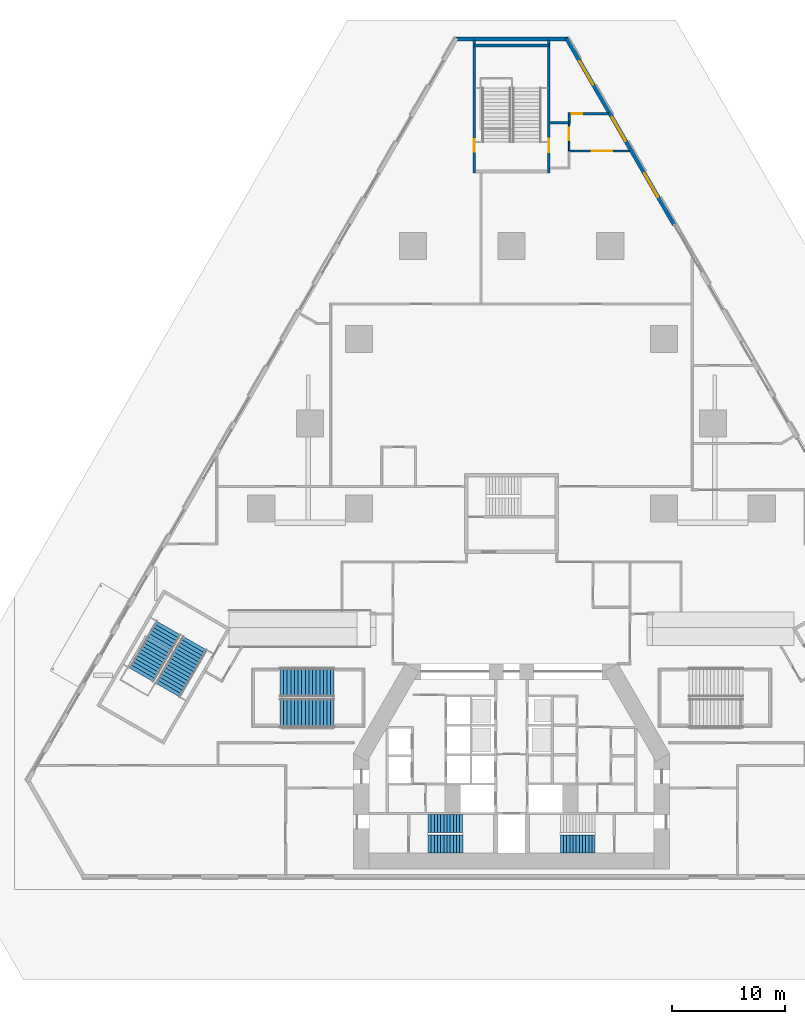
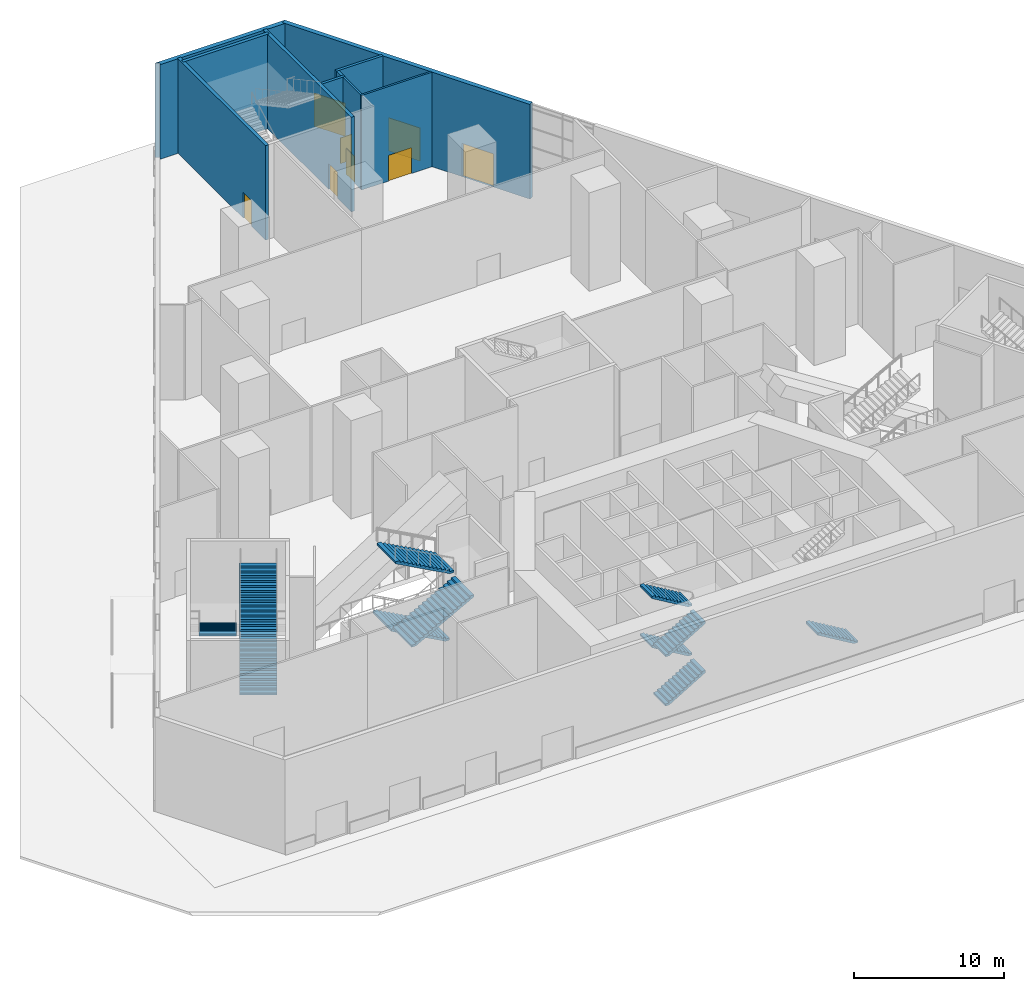
# One storey, part 18 of 24: 11 stair flights, 10 walls, 8 doors, 8 openings, 4 elements without a shape of their own.
"""IFC4 building model written with IfcOpenShell, lengths in metres."""

from ifc_helpers import new_model, si_unit, direction, frame, frame_2d, origin, place, context, subcontext, project, spatial, polyline, rectangle, outline, extrude, material, layer, layer_set, type_object, element, fill, aggregate, save


model = new_model("IFC4")

# Units and contexts
model_context = context("Model", 3, precision=1e-05, world=origin(), true_north=direction((0.0, 1.0)))
body_context = subcontext(model_context, "Body", "Model", "MODEL_VIEW")
ifc_project = project(units=[si_unit("LENGTHUNIT", "METRE"), si_unit("AREAUNIT", "SQUARE_METRE"), si_unit("VOLUMEUNIT", "CUBIC_METRE"), si_unit("PLANEANGLEUNIT", "RADIAN"), si_unit("MASSUNIT", "GRAM", prefix="KILO")], contexts=[model_context])

# Site, building, storey
site_placement = place(None, origin())
site = spatial("IfcSite", under=ifc_project, at=site_placement, CompositionType="ELEMENT")
building_placement = place(site_placement, origin())
building = spatial("IfcBuilding", under=site, at=building_placement, Name="Fogline Exchange Tower", CompositionType="ELEMENT")
storey_placement = place(building_placement, origin())
storey = spatial("IfcBuildingStorey", under=building, at=storey_placement, Name="L00", CompositionType="ELEMENT", Elevation=0.0)

# Wall, openings, doors
ifc_material_1 = material(Name="Brick masonry", Category="masonry")
ifc_layer_1 = layer(ifc_material_1, 0.340087890625)
ifc_layer_set_1 = layer_set([ifc_layer_1], Name="FW1")
wall_type_1 = type_object("IfcWallType", Name="FW1", PredefinedType="SOLIDWALL", material=ifc_layer_set_1)
wall_1_placement = place(storey_placement, frame((14.381591796875, 57.888916015625, 0.0), z_axis=(0.0, 0.0, 1.0), x_axis=(-0.499999683919, 0.866025586274, 0.0)))
wall_1 = element("IfcWall", 1, at=wall_1_placement, inside=storey, type_object=wall_type_1, Name="Brick wall L00 E bay 5", PredefinedType="SOLIDWALL", context=body_context, shape_type="SweptSolid", body=[
    extrude(rectangle(XDim=19.0576171875, YDim=0.340087890625, at=frame_2d((9.52880859375, 0.0))), origin(), (0.0, 0.0, 1.0), 7.699951171875),
])
opening_1_placement = place(wall_1_placement, frame((2.8154296875, 0.0, 0.0)))
opening_1 = element("IfcOpeningElement", 2, at=opening_1_placement, cuts=wall_1, Name="Opening P00-E036", PredefinedType="OPENING", context=body_context, shape_type="SweptSolid", body=[
    extrude(rectangle(XDim=2.39990234375, YDim=2.699951171875, at=frame_2d((1.199951171875, 1.35009765625))), frame((0.0, 0.18017578125, 0.0), z_axis=(0.0, -1.0, 0.0), x_axis=(1.0, 0.0, 0.0)), (0.0, 0.0, 1.0), 0.360107421875),
])
opening_2_placement = place(wall_1_placement, frame((8.555419921875, 0.0, 0.0)))
opening_2 = element("IfcOpeningElement", 3, at=opening_2_placement, cuts=wall_1, Name="Opening P00-E037", PredefinedType="OPENING", context=body_context, shape_type="SweptSolid", body=[
    extrude(rectangle(XDim=2.39990234375, YDim=2.699951171875, at=frame_2d((1.199951171875, 1.35009765625))), frame((0.0, 0.18017578125, 0.0), z_axis=(0.0, -1.0, 0.0), x_axis=(1.0, 0.0, 0.0)), (0.0, 0.0, 1.0), 0.360107421875),
])
opening_3_placement = place(wall_1_placement, frame((14.29443359375, 0.0, 0.0)))
opening_3 = element("IfcOpeningElement", 4, at=opening_3_placement, cuts=wall_1, Name="Opening P00-E038", PredefinedType="OPENING", context=body_context, shape_type="SweptSolid", body=[
    extrude(rectangle(XDim=2.39990234375, YDim=2.699951171875, at=frame_2d((1.199951171875, 1.35009765625))), frame((0.0, 0.18017578125, 0.0), z_axis=(0.0, -1.0, 0.0), x_axis=(1.0, 0.0, 0.0)), (0.0, 0.0, 1.0), 0.360107421875),
])
ifc_material_2 = material(Name="Aluminium and glass", Category="aluminium")
door_type_1 = type_object("IfcDoorType", Name="ED6", OperationType="SINGLE_SWING_LEFT", PredefinedType="DOOR", material=ifc_material_2)
door_1_placement = place(opening_1_placement, frame((2.39990234375, 0.0, 0.0), z_axis=(0.0, 0.0, 1.0), x_axis=(-1.0, 0.0, 0.0)))
door_1 = element("IfcDoor", 5, at=door_1_placement, inside=storey, type_object=door_type_1, Name="Exit door L00 E", OperationType="DOUBLE_DOOR_SINGLE_SWING", OverallHeight=2.699951171875, OverallWidth=2.39990234375, PredefinedType="DOOR", context=body_context, shape_type="SweptSolid", body=[
    extrude(rectangle(XDim=2.39990234375, YDim=2.699951171875, at=frame_2d((1.199951171875, 1.35009765625))), frame((0.0, 0.02490234375, 0.0), z_axis=(0.0, -1.0, 0.0), x_axis=(1.0, 0.0, 0.0)), (0.0, 0.0, 1.0), 0.050048828125),
])
fill(opening_1, door_1)
door_2_placement = place(opening_2_placement, frame((2.39990234375, 0.0, 0.0), z_axis=(0.0, 0.0, 1.0), x_axis=(-1.0, 0.0, 0.0)))
door_2 = element("IfcDoor", 6, at=door_2_placement, inside=storey, type_object=door_type_1, Name="Exit door L00 E", OperationType="DOUBLE_DOOR_SINGLE_SWING", OverallHeight=2.699951171875, OverallWidth=2.39990234375, PredefinedType="DOOR", context=body_context, shape_type="SweptSolid", body=[
    extrude(rectangle(XDim=2.39990234375, YDim=2.699951171875, at=frame_2d((1.199951171875, 1.35009765625))), frame((0.0, 0.02490234375, 0.0), z_axis=(0.0, -1.0, 0.0), x_axis=(1.0, 0.0, 0.0)), (0.0, 0.0, 1.0), 0.050048828125),
])
fill(opening_2, door_2)
door_3_placement = place(opening_3_placement, frame((2.39990234375, 0.0, 0.0), z_axis=(0.0, 0.0, 1.0), x_axis=(-1.0, 0.0, 0.0)))
door_3 = element("IfcDoor", 7, at=door_3_placement, inside=storey, type_object=door_type_1, Name="Exit door L00 E", OperationType="DOUBLE_DOOR_SINGLE_SWING", OverallHeight=2.699951171875, OverallWidth=2.39990234375, PredefinedType="DOOR", context=body_context, shape_type="SweptSolid", body=[
    extrude(rectangle(XDim=2.39990234375, YDim=2.699951171875, at=frame_2d((1.199951171875, 1.35009765625))), frame((0.0, 0.02490234375, 0.0), z_axis=(0.0, -1.0, 0.0), x_axis=(1.0, 0.0, 0.0)), (0.0, 0.0, 1.0), 0.050048828125),
])
fill(opening_3, door_3)

# Wall
wall_2_placement = place(storey_placement, origin())
element("IfcWall", 8, at=wall_2_placement, inside=storey, type_object=wall_type_1, Name="Brick wall L00 N-c", PredefinedType="SOLIDWALL", context=body_context, shape_type="SweptSolid", body=[
    extrude(outline(polyline([(5.001220703125, 74.478271484375), (4.706298828125, 74.307861328125), (4.8046875, 74.1376953125), (-4.8046875, 74.1376953125), (-4.706298828125, 74.307861328125), (-5.001220703125, 74.478271484375), (-5.0009765625, 74.478759765625), (5.0009765625, 74.478759765625), (5.001220703125, 74.478271484375)])), origin(), (0.0, 0.0, 1.0), 7.699951171875),
])

# Wall, opening, door
ifc_material_3 = material(Name="Plasterboard on steel stud", Category="steel")
ifc_layer_2 = layer(ifc_material_3, 0.14990234375)
ifc_layer_set_2 = layer_set([ifc_layer_2], Name="PP1")
wall_type_2 = type_object("IfcWallType", Name="PP1", PredefinedType="PARTITIONING", material=ifc_layer_set_2)
wall_3_placement = place(storey_placement, frame((10.46630859375, 64.39990234375, 0.0), z_axis=(0.0, 0.0, 1.0), x_axis=(-1.0, 0.0, 0.0)))
wall_3 = element("IfcWall", 9, at=wall_3_placement, inside=storey, type_object=wall_type_2, Name="PP1 partition", PredefinedType="PARTITIONING", context=body_context, shape_type="SweptSolid", body=[
    extrude(rectangle(XDim=5.44140625, YDim=0.14990234375, at=frame_2d((2.720703125, 0.0))), origin(), (0.0, 0.0, 1.0), 7.699951171875),
])
opening_4_placement = place(wall_3_placement, frame((1.56640625, 0.0, 0.0)))
opening_4 = element("IfcOpeningElement", 10, at=opening_4_placement, cuts=wall_3, Name="Opening P00-D009", PredefinedType="OPENING", context=body_context, shape_type="SweptSolid", body=[
    extrude(rectangle(XDim=1.800048828125, YDim=2.10009765625, at=frame_2d((0.89990234375, 1.050048828125))), frame((0.0, 0.0849609375, 0.0), z_axis=(0.0, -1.0, 0.0), x_axis=(1.0, 0.0, 0.0)), (0.0, 0.0, 1.0), 0.169921875),
])
ifc_material_4 = material(Name="Timber", Category="wood")
door_type_2 = type_object("IfcDoorType", Name="PD3", OperationType="DOUBLE_DOOR_SINGLE_SWING", PredefinedType="DOOR", material=ifc_material_4)
door_4_placement = place(opening_4_placement, origin())
door_4 = element("IfcDoor", 11, at=door_4_placement, inside=storey, type_object=door_type_2, Name="P00-D009", OperationType="DOUBLE_DOOR_SINGLE_SWING", OverallHeight=2.10009765625, OverallWidth=1.800048828125, PredefinedType="DOOR", context=body_context, shape_type="SweptSolid", body=[
    extrude(rectangle(XDim=1.800048828125, YDim=2.10009765625, at=frame_2d((0.89990234375, 1.050048828125))), frame((0.0, 0.02490234375, 0.0), z_axis=(0.0, -1.0, 0.0), x_axis=(1.0, 0.0, 0.0)), (0.0, 0.0, 1.0), 0.050048828125),
])
fill(opening_4, door_4)

wall_4_placement = place(storey_placement, frame((5.10009765625, 66.800048828125, 0.0), z_axis=(0.0, 0.0, 1.0), x_axis=(0.0, -1.0, 0.0)))
wall_4 = element("IfcWall", 12, at=wall_4_placement, inside=storey, type_object=wall_type_2, Name="PP1 partition", PredefinedType="PARTITIONING", context=body_context, shape_type="SweptSolid", body=[
    extrude(rectangle(XDim=2.324951171875, YDim=0.14990234375, at=frame_2d((1.16259765625, 0.0))), origin(), (0.0, 0.0, 1.0), 7.699951171875),
])
opening_5_placement = place(wall_4_placement, frame((0.35009765625, 0.0, 0.0)))
opening_5 = element("IfcOpeningElement", 13, at=opening_5_placement, cuts=wall_4, Name="Opening P00-D006", PredefinedType="OPENING", context=body_context, shape_type="SweptSolid", body=[
    extrude(rectangle(XDim=1.10009765625, YDim=2.10009765625, at=frame_2d((0.550048828125, 1.050048828125))), frame((0.0, 0.0849609375, 0.0), z_axis=(0.0, -1.0, 0.0), x_axis=(1.0, 0.0, 0.0)), (0.0, 0.0, 1.0), 0.169921875),
])
ifc_material_5 = material(Name="Steel Q235B", Category="steel")
door_type_3 = type_object("IfcDoorType", Name="PD5", OperationType="SINGLE_SWING_LEFT", PredefinedType="DOOR", material=ifc_material_5)
door_5_placement = place(opening_5_placement, origin())
door_5 = element("IfcDoor", 14, at=door_5_placement, inside=storey, type_object=door_type_3, Name="P00-D006", OperationType="SINGLE_SWING_LEFT", OverallHeight=2.10009765625, OverallWidth=1.10009765625, PredefinedType="DOOR", context=body_context, shape_type="SweptSolid", body=[
    extrude(rectangle(XDim=1.10009765625, YDim=2.10009765625, at=frame_2d((0.550048828125, 1.050048828125))), frame((0.0, 0.02490234375, 0.0), z_axis=(0.0, -1.0, 0.0), x_axis=(1.0, 0.0, 0.0)), (0.0, 0.0, 1.0), 0.050048828125),
])
fill(opening_5, door_5)

# Walls
ifc_material_6 = material(Name="Concrete block masonry", Category="masonry")
ifc_layer_3 = layer(ifc_material_6, 0.199951171875)
ifc_layer_set_3 = layer_set([ifc_layer_3], Name="PP2")
wall_type_3 = type_object("IfcWallType", Name="PP2", PredefinedType="PARTITIONING", material=ifc_layer_set_3)
wall_5_placement = place(storey_placement, frame((3.425048828125, 66.89990234375, 0.0), z_axis=(0.0, 0.0, 1.0), x_axis=(1.0, 0.0, 0.0)))
element("IfcWall", 15, at=wall_5_placement, inside=storey, type_object=wall_type_3, Name="PP2 partition", PredefinedType="PARTITIONING", context=body_context, shape_type="SweptSolid", body=[
    extrude(rectangle(XDim=1.77490234375, YDim=0.199951171875, at=frame_2d((0.887451171875, 0.0))), origin(), (0.0, 0.0, 1.0), 7.699951171875),
])
wall_6_placement = place(storey_placement, frame((5.10009765625, 67.0, 0.0), z_axis=(0.0, 0.0, 1.0), x_axis=(0.0, 1.0, 0.0)))
element("IfcWall", 16, at=wall_6_placement, inside=storey, type_object=wall_type_3, Name="PP2 partition", PredefinedType="PARTITIONING", context=body_context, shape_type="SweptSolid", body=[
    extrude(rectangle(XDim=0.60009765625, YDim=0.199951171875, at=frame_2d((0.300048828125, 0.0))), origin(), (0.0, 0.0, 1.0), 7.699951171875),
])

# Wall, opening, door
wall_7_placement = place(storey_placement, frame((5.0, 67.699951171875, 0.0), z_axis=(0.0, 0.0, 1.0), x_axis=(1.0, 0.0, 0.0)))
wall_7 = element("IfcWall", 17, at=wall_7_placement, inside=storey, type_object=wall_type_3, Name="PP2 partition", PredefinedType="PARTITIONING", context=body_context, shape_type="SweptSolid", body=[
    extrude(rectangle(XDim=3.586181640625, YDim=0.199951171875, at=frame_2d((1.79296875, 0.0))), origin(), (0.0, 0.0, 1.0), 7.699951171875),
])
opening_6_placement = place(wall_7_placement, frame((0.35009765625, 0.0, 0.0)))
opening_6 = element("IfcOpeningElement", 18, at=opening_6_placement, cuts=wall_7, Name="Opening P00-D008", PredefinedType="OPENING", context=body_context, shape_type="SweptSolid", body=[
    extrude(rectangle(XDim=0.89990234375, YDim=2.10009765625, at=frame_2d((0.449951171875, 1.050048828125))), frame((0.0, 0.10986328125, 0.0), z_axis=(0.0, -1.0, 0.0), x_axis=(1.0, 0.0, 0.0)), (0.0, 0.0, 1.0), 0.219970703125),
])
door_type_4 = type_object("IfcDoorType", Name="PD2", OperationType="SINGLE_SWING_LEFT", PredefinedType="DOOR", material=ifc_material_4)
door_6_placement = place(opening_6_placement, origin())
door_6 = element("IfcDoor", 19, at=door_6_placement, inside=storey, type_object=door_type_4, Name="P00-D008", OperationType="SINGLE_SWING_LEFT", OverallHeight=2.10009765625, OverallWidth=0.89990234375, PredefinedType="DOOR", context=body_context, shape_type="SweptSolid", body=[
    extrude(rectangle(XDim=0.89990234375, YDim=2.10009765625, at=frame_2d((0.449951171875, 1.050048828125))), frame((0.0, 0.02490234375, 0.0), z_axis=(0.0, -1.0, 0.0), x_axis=(1.0, 0.0, 0.0)), (0.0, 0.0, 1.0), 0.050048828125),
])
fill(opening_6, door_6)

ifc_material_7 = material(Name="Concrete C40", Category="concrete")
ifc_layer_4 = layer(ifc_material_7, 0.25)
ifc_layer_set_4 = layer_set([ifc_layer_4], Name="PP3")
wall_type_4 = type_object("IfcWallType", Name="PP3", PredefinedType="SOLIDWALL", material=ifc_layer_set_4)
wall_8_placement = place(storey_placement, frame((-3.300048828125, 62.47509765625, 0.0), z_axis=(0.0, 0.0, 1.0), x_axis=(0.0, 1.0, 0.0)))
wall_8 = element("IfcWall", 20, at=wall_8_placement, inside=storey, type_object=wall_type_4, Name="PP3 bearing wall", PredefinedType="SOLIDWALL", context=body_context, shape_type="SweptSolid", body=[
    extrude(rectangle(XDim=11.758056640625, YDim=0.25, at=frame_2d((5.87890625, 0.0))), origin(), (0.0, 0.0, 1.0), 7.699951171875),
])
opening_7_placement = place(wall_8_placement, frame((1.875, 0.0, 0.0)))
opening_7 = element("IfcOpeningElement", 21, at=opening_7_placement, cuts=wall_8, Name="Opening P00-D007", PredefinedType="OPENING", context=body_context, shape_type="SweptSolid", body=[
    extrude(rectangle(XDim=1.10009765625, YDim=2.10009765625, at=frame_2d((0.550048828125, 1.050048828125))), frame((0.0, 0.135009765625, 0.0), z_axis=(0.0, -1.0, 0.0), x_axis=(1.0, 0.0, 0.0)), (0.0, 0.0, 1.0), 0.27001953125),
])
door_7_placement = place(opening_7_placement, origin())
door_7 = element("IfcDoor", 22, at=door_7_placement, inside=storey, type_object=door_type_3, Name="P00-D007", OperationType="SINGLE_SWING_LEFT", OverallHeight=2.10009765625, OverallWidth=1.10009765625, PredefinedType="DOOR", context=body_context, shape_type="SweptSolid", body=[
    extrude(rectangle(XDim=1.10009765625, YDim=2.10009765625, at=frame_2d((0.550048828125, 1.050048828125))), frame((0.0, 0.02490234375, 0.0), z_axis=(0.0, -1.0, 0.0), x_axis=(1.0, 0.0, 0.0)), (0.0, 0.0, 1.0), 0.050048828125),
])
fill(opening_7, door_7)

wall_9_placement = place(storey_placement, frame((3.300048828125, 74.233154296875, 0.0), z_axis=(0.0, 0.0, 1.0), x_axis=(0.0, -1.0, 0.0)))
wall_9 = element("IfcWall", 23, at=wall_9_placement, inside=storey, type_object=wall_type_4, Name="PP3 bearing wall", PredefinedType="SOLIDWALL", context=body_context, shape_type="SweptSolid", body=[
    extrude(rectangle(XDim=11.758056640625, YDim=0.25, at=frame_2d((5.87890625, 0.0))), origin(), (0.0, 0.0, 1.0), 7.699951171875),
])
opening_8_placement = place(wall_9_placement, frame((8.733154296875, 0.0, 0.0)))
opening_8 = element("IfcOpeningElement", 24, at=opening_8_placement, cuts=wall_9, Name="Opening P00-D001", PredefinedType="OPENING", context=body_context, shape_type="SweptSolid", body=[
    extrude(rectangle(XDim=1.199951171875, YDim=2.10009765625, at=frame_2d((0.60009765625, 1.050048828125))), frame((0.0, 0.135009765625, 0.0), z_axis=(0.0, -1.0, 0.0), x_axis=(1.0, 0.0, 0.0)), (0.0, 0.0, 1.0), 0.27001953125),
])
door_type_5 = type_object("IfcDoorType", Name="PD7", OperationType="SINGLE_SWING_LEFT", PredefinedType="DOOR", material=ifc_material_5)
door_8_placement = place(opening_8_placement, origin())
door_8 = element("IfcDoor", 25, at=door_8_placement, inside=storey, type_object=door_type_5, Name="P00-D001", OperationType="SINGLE_SWING_LEFT", OverallHeight=2.10009765625, OverallWidth=1.199951171875, PredefinedType="DOOR", context=body_context, shape_type="SweptSolid", body=[
    extrude(rectangle(XDim=1.199951171875, YDim=2.10009765625, at=frame_2d((0.60009765625, 1.050048828125))), frame((0.0, 0.02490234375, 0.0), z_axis=(0.0, -1.0, 0.0), x_axis=(1.0, 0.0, 0.0)), (0.0, 0.0, 1.0), 0.050048828125),
])
fill(opening_8, door_8)

# Wall
ifc_layer_5 = layer(ifc_material_7, 0.25)
ifc_layer_set_5 = layer_set([ifc_layer_5], Name="PP6")
wall_type_5 = type_object("IfcWallType", Name="PP6", PredefinedType="SOLIDWALL", material=ifc_layer_set_5)
wall_10_placement = place(storey_placement, frame((-3.300048828125, 73.75, 0.0), z_axis=(0.0, 0.0, 1.0), x_axis=(1.0, 0.0, 0.0)))
element("IfcWall", 26, at=wall_10_placement, inside=storey, type_object=wall_type_5, Name="PP6 bearing wall", PredefinedType="SOLIDWALL", context=body_context, shape_type="SweptSolid", body=[
    extrude(rectangle(XDim=6.60009765625, YDim=0.25, at=frame_2d((3.300048828125, 0.0))), origin(), (0.0, 0.0, 1.0), 7.699951171875),
])

# Stair, stair flights
stair_type_1 = type_object("IfcStairType", Name="PSF0-46-1739", PredefinedType="HALF_TURN_STAIR", material=ifc_material_7)
stair_1_placement = place(storey_placement, origin())
stair_1 = element("IfcStair", 27, at=stair_1_placement, inside=storey, type_object=stair_type_1, Name="Stair ST4", PredefinedType="HALF_TURN_STAIR")
stair_flight_type_1 = type_object("IfcStairFlightType", Name="PSF1-15-1739", PredefinedType="STRAIGHT", material=ifc_material_7)
stair_flight_1_placement = place(storey_placement, frame((-30.265869140625, 16.937255859375, 0.0), z_axis=(0.0, 0.0, 1.0), x_axis=(0.49997940255, 0.866037295401, 0.0)))
stair_flight_1 = element("IfcStairFlight", 28, at=stair_flight_1_placement, type_object=stair_flight_type_1, Name="ST4 flight 1", NumberOfRisers=15, NumberOfTreads=14, PredefinedType="STRAIGHT", RiserHeight=0.173913043, TreadLength=0.32, context=body_context, shape_type="SweptSolid", body=[
    extrude(outline(polyline([(0.0, 0.0), (0.0, 0.173828125), (0.320068359375, 0.173828125), (0.320068359375, 0.347900390625), (0.639892578125, 0.347900390625), (0.639892578125, 0.521728515625), (0.9599609375, 0.521728515625), (0.9599609375, 0.695556640625), (1.280029296875, 0.695556640625), (1.280029296875, 0.86962890625), (1.60009765625, 0.86962890625), (1.60009765625, 1.04345703125), (1.919921875, 1.04345703125), (1.919921875, 1.21728515625), (2.239990234375, 1.21728515625), (2.239990234375, 1.391357421875), (2.56005859375, 1.391357421875), (2.56005859375, 1.565185546875), (2.8798828125, 1.565185546875), (2.8798828125, 1.739013671875), (3.199951171875, 1.739013671875), (3.199951171875, 1.9130859375), (3.52001953125, 1.9130859375), (3.52001953125, 2.0869140625), (3.840087890625, 2.0869140625), (3.840087890625, 2.260986328125), (4.159912109375, 2.260986328125), (4.159912109375, 2.434814453125), (4.47998046875, 2.434814453125), (4.47998046875, 2.608642578125), (4.47998046875, 2.26416015625), (0.31396484375, 0.0), (0.0, 0.0)])), frame((0.0, 1.25, 0.0), z_axis=(0.0, -1.0, 0.0), x_axis=(1.0, 0.0, 0.0)), (0.0, 0.0, 1.0), 2.5),
])
stair_flight_2_placement = place(storey_placement, frame((-30.42578125, 16.66015625, 5.391357421875), z_axis=(0.0, 0.0, 1.0), x_axis=(0.49997940255, 0.866037295401, 0.0)))
stair_flight_2 = element("IfcStairFlight", 29, at=stair_flight_2_placement, type_object=stair_flight_type_1, Name="ST4 flight 3", NumberOfRisers=15, NumberOfTreads=14, PredefinedType="STRAIGHT", RiserHeight=0.173913043, TreadLength=0.32, context=body_context, shape_type="SweptSolid", body=[
    extrude(outline(polyline([(0.0, 0.0), (0.0, 0.173828125), (0.320068359375, 0.173828125), (0.320068359375, 0.347900390625), (0.639892578125, 0.347900390625), (0.639892578125, 0.521728515625), (0.9599609375, 0.521728515625), (0.9599609375, 0.695556640625), (1.280029296875, 0.695556640625), (1.280029296875, 0.86962890625), (1.60009765625, 0.86962890625), (1.60009765625, 1.04345703125), (1.919921875, 1.04345703125), (1.919921875, 1.21728515625), (2.239990234375, 1.21728515625), (2.239990234375, 1.391357421875), (2.56005859375, 1.391357421875), (2.56005859375, 1.565185546875), (2.8798828125, 1.565185546875), (2.8798828125, 1.739013671875), (3.199951171875, 1.739013671875), (3.199951171875, 1.9130859375), (3.52001953125, 1.9130859375), (3.52001953125, 2.0869140625), (3.840087890625, 2.0869140625), (3.840087890625, 2.260986328125), (4.159912109375, 2.260986328125), (4.159912109375, 2.434814453125), (4.47998046875, 2.434814453125), (4.47998046875, 2.608642578125), (4.47998046875, 2.26416015625), (0.31396484375, 0.0), (0.0, 0.0)])), frame((0.0, 1.25, 0.0), z_axis=(0.0, -1.0, 0.0), x_axis=(1.0, 0.0, 0.0)), (0.0, 0.0, 1.0), 2.5),
])

stair_2_placement = place(storey_placement, origin())
stair_2 = element("IfcStair", 30, at=stair_2_placement, inside=storey, type_object=stair_type_1, Name="Public stair PS1", PredefinedType="HALF_TURN_STAIR")
stair_flight_3_placement = place(storey_placement, frame((-16.02001953125, 17.35009765625, 0.0), z_axis=(0.0, 0.0, 1.0), x_axis=(-1.0, 0.0, 0.0)))
stair_flight_3 = element("IfcStairFlight", 31, at=stair_flight_3_placement, type_object=stair_flight_type_1, Name="PS1 flight 1", NumberOfRisers=15, NumberOfTreads=14, PredefinedType="STRAIGHT", RiserHeight=0.173913043, TreadLength=0.32, context=body_context, shape_type="SweptSolid", body=[
    extrude(outline(polyline([(0.0, 0.0), (0.0, 0.173828125), (0.320068359375, 0.173828125), (0.320068359375, 0.347900390625), (0.639892578125, 0.347900390625), (0.639892578125, 0.521728515625), (0.9599609375, 0.521728515625), (0.9599609375, 0.695556640625), (1.280029296875, 0.695556640625), (1.280029296875, 0.86962890625), (1.60009765625, 0.86962890625), (1.60009765625, 1.04345703125), (1.919921875, 1.04345703125), (1.919921875, 1.21728515625), (2.239990234375, 1.21728515625), (2.239990234375, 1.391357421875), (2.56005859375, 1.391357421875), (2.56005859375, 1.565185546875), (2.8798828125, 1.565185546875), (2.8798828125, 1.739013671875), (3.199951171875, 1.739013671875), (3.199951171875, 1.9130859375), (3.52001953125, 1.9130859375), (3.52001953125, 2.0869140625), (3.840087890625, 2.0869140625), (3.840087890625, 2.260986328125), (4.159912109375, 2.260986328125), (4.159912109375, 2.434814453125), (4.47998046875, 2.434814453125), (4.47998046875, 2.608642578125), (4.47998046875, 2.26416015625), (0.31396484375, 0.0), (0.0, 0.0)])), frame((0.0, 1.25, 0.0), z_axis=(0.0, -1.0, 0.0), x_axis=(1.0, 0.0, 0.0)), (0.0, 0.0, 1.0), 2.5),
])
stair_flight_4_placement = place(storey_placement, frame((-15.699951171875, 17.35009765625, 5.391357421875), z_axis=(0.0, 0.0, 1.0), x_axis=(-1.0, 0.0, 0.0)))
stair_flight_4 = element("IfcStairFlight", 32, at=stair_flight_4_placement, type_object=stair_flight_type_1, Name="PS1 flight 3", NumberOfRisers=15, NumberOfTreads=14, PredefinedType="STRAIGHT", RiserHeight=0.173913043, TreadLength=0.32, context=body_context, shape_type="SweptSolid", body=[
    extrude(outline(polyline([(0.0, 0.0), (0.0, 0.173828125), (0.320068359375, 0.173828125), (0.320068359375, 0.347900390625), (0.639892578125, 0.347900390625), (0.639892578125, 0.521728515625), (0.9599609375, 0.521728515625), (0.9599609375, 0.695556640625), (1.280029296875, 0.695556640625), (1.280029296875, 0.86962890625), (1.60009765625, 0.86962890625), (1.60009765625, 1.04345703125), (1.919921875, 1.04345703125), (1.919921875, 1.21728515625), (2.239990234375, 1.21728515625), (2.239990234375, 1.391357421875), (2.56005859375, 1.391357421875), (2.56005859375, 1.565185546875), (2.8798828125, 1.565185546875), (2.8798828125, 1.739013671875), (3.199951171875, 1.739013671875), (3.199951171875, 1.9130859375), (3.52001953125, 1.9130859375), (3.52001953125, 2.0869140625), (3.840087890625, 2.0869140625), (3.840087890625, 2.260986328125), (4.159912109375, 2.260986328125), (4.159912109375, 2.434814453125), (4.47998046875, 2.434814453125), (4.47998046875, 2.608642578125), (4.47998046875, 2.26416015625), (0.31396484375, 0.0), (0.0, 0.0)])), frame((0.0, 1.25, 0.0), z_axis=(0.0, -1.0, 0.0), x_axis=(1.0, 0.0, 0.0)), (0.0, 0.0, 1.0), 2.5),
])

# Stair flight
stair_flight_type_2 = type_object("IfcStairFlightType", Name="PSF1-16-1739", PredefinedType="STRAIGHT", material=ifc_material_7)
stair_flight_5_placement = place(storey_placement, frame((-30.3642578125, 22.1669921875, 2.608642578125), z_axis=(0.0, 0.0, 1.0), x_axis=(-0.49997940255, -0.866037295401, 0.0)))
stair_flight_5 = element("IfcStairFlight", 33, at=stair_flight_5_placement, type_object=stair_flight_type_2, Name="ST4 flight 2", NumberOfRisers=16, NumberOfTreads=15, PredefinedType="STRAIGHT", RiserHeight=0.173913043, TreadLength=0.32, context=body_context, shape_type="SweptSolid", body=[
    extrude(outline(polyline([(0.0, 0.0), (0.0, 0.173828125), (0.320068359375, 0.173828125), (0.320068359375, 0.347900390625), (0.639892578125, 0.347900390625), (0.639892578125, 0.521728515625), (0.9599609375, 0.521728515625), (0.9599609375, 0.695556640625), (1.280029296875, 0.695556640625), (1.280029296875, 0.86962890625), (1.60009765625, 0.86962890625), (1.60009765625, 1.04345703125), (1.919921875, 1.04345703125), (1.919921875, 1.21728515625), (2.239990234375, 1.21728515625), (2.239990234375, 1.391357421875), (2.56005859375, 1.391357421875), (2.56005859375, 1.565185546875), (2.8798828125, 1.565185546875), (2.8798828125, 1.739013671875), (3.199951171875, 1.739013671875), (3.199951171875, 1.9130859375), (3.52001953125, 1.9130859375), (3.52001953125, 2.0869140625), (3.840087890625, 2.0869140625), (3.840087890625, 2.260986328125), (4.159912109375, 2.260986328125), (4.159912109375, 2.434814453125), (4.47998046875, 2.434814453125), (4.47998046875, 2.608642578125), (4.800048828125, 2.608642578125), (4.800048828125, 2.78271484375), (4.800048828125, 2.43798828125), (0.31396484375, 0.0), (0.0, 0.0)])), frame((0.0, 1.25, 0.0), z_axis=(0.0, -1.0, 0.0), x_axis=(1.0, 0.0, 0.0)), (0.0, 0.0, 1.0), 2.5),
])

aggregate(stair_1, [stair_flight_1, stair_flight_5, stair_flight_2])

stair_flight_6_placement = place(storey_placement, frame((-20.5, 14.64990234375, 2.608642578125), z_axis=(0.0, 0.0, 1.0), x_axis=(1.0, 0.0, 0.0)))
stair_flight_6 = element("IfcStairFlight", 34, at=stair_flight_6_placement, type_object=stair_flight_type_2, Name="PS1 flight 2", NumberOfRisers=16, NumberOfTreads=15, PredefinedType="STRAIGHT", RiserHeight=0.173913043, TreadLength=0.32, context=body_context, shape_type="SweptSolid", body=[
    extrude(outline(polyline([(0.0, 0.0), (0.0, 0.173828125), (0.320068359375, 0.173828125), (0.320068359375, 0.347900390625), (0.639892578125, 0.347900390625), (0.639892578125, 0.521728515625), (0.9599609375, 0.521728515625), (0.9599609375, 0.695556640625), (1.280029296875, 0.695556640625), (1.280029296875, 0.86962890625), (1.60009765625, 0.86962890625), (1.60009765625, 1.04345703125), (1.919921875, 1.04345703125), (1.919921875, 1.21728515625), (2.239990234375, 1.21728515625), (2.239990234375, 1.391357421875), (2.56005859375, 1.391357421875), (2.56005859375, 1.565185546875), (2.8798828125, 1.565185546875), (2.8798828125, 1.739013671875), (3.199951171875, 1.739013671875), (3.199951171875, 1.9130859375), (3.52001953125, 1.9130859375), (3.52001953125, 2.0869140625), (3.840087890625, 2.0869140625), (3.840087890625, 2.260986328125), (4.159912109375, 2.260986328125), (4.159912109375, 2.434814453125), (4.47998046875, 2.434814453125), (4.47998046875, 2.608642578125), (4.800048828125, 2.608642578125), (4.800048828125, 2.78271484375), (4.800048828125, 2.43798828125), (0.31396484375, 0.0), (0.0, 0.0)])), frame((0.0, 1.25, 0.0), z_axis=(0.0, -1.0, 0.0), x_axis=(1.0, 0.0, 0.0)), (0.0, 0.0, 1.0), 2.5),
])

aggregate(stair_2, [stair_flight_3, stair_flight_6, stair_flight_4])

# Stair, stair flights
stair_type_2 = type_object("IfcStairType", Name="STR48-1667", PredefinedType="HALF_TURN_STAIR", material=ifc_material_7)
stair_3_placement = place(storey_placement, origin())
stair_3 = element("IfcStair", 35, at=stair_3_placement, inside=storey, type_object=stair_type_2, Name="Stair ST1", PredefinedType="HALF_TURN_STAIR")
stair_flight_type_3 = type_object("IfcStairFlightType", Name="SF12-1667", PredefinedType="STRAIGHT", material=ifc_material_7)
stair_flight_7_placement = place(storey_placement, frame((-7.39990234375, 3.050048828125, 0.0), z_axis=(0.0, 0.0, 1.0), x_axis=(1.0, 0.0, 0.0)))
stair_flight_7 = element("IfcStairFlight", 36, at=stair_flight_7_placement, type_object=stair_flight_type_3, Name="ST1 flight 1", NumberOfRisers=12, NumberOfTreads=11, PredefinedType="STRAIGHT", RiserHeight=0.166666667, TreadLength=0.28, context=body_context, shape_type="SweptSolid", body=[
    extrude(outline(polyline([(0.0, 0.0), (0.0, 0.166748046875), (0.280029296875, 0.166748046875), (0.280029296875, 0.333251953125), (0.56005859375, 0.333251953125), (0.56005859375, 0.5), (0.840087890625, 0.5), (0.840087890625, 0.666748046875), (1.1201171875, 0.666748046875), (1.1201171875, 0.833251953125), (1.39990234375, 0.833251953125), (1.39990234375, 1.0), (1.679931640625, 1.0), (1.679931640625, 1.166748046875), (1.9599609375, 1.166748046875), (1.9599609375, 1.333251953125), (2.239990234375, 1.333251953125), (2.239990234375, 1.5), (2.52001953125, 1.5), (2.52001953125, 1.666748046875), (2.800048828125, 1.666748046875), (2.800048828125, 1.833251953125), (3.080078125, 1.833251953125), (3.080078125, 2.0), (3.080078125, 1.658935546875), (0.29296875, 0.0), (0.0, 0.0)])), frame((0.0, 0.800048828125, 0.0), z_axis=(0.0, -1.0, 0.0), x_axis=(1.0, 0.0, 0.0)), (0.0, 0.0, 1.0), 1.60009765625),
])
stair_flight_8_placement = place(storey_placement, frame((-4.320068359375, 4.85009765625, 2.0), z_axis=(0.0, 0.0, 1.0), x_axis=(-1.0, 0.0, 0.0)))
stair_flight_8 = element("IfcStairFlight", 37, at=stair_flight_8_placement, type_object=stair_flight_type_3, Name="ST1 flight 2", NumberOfRisers=12, NumberOfTreads=11, PredefinedType="STRAIGHT", RiserHeight=0.166666667, TreadLength=0.28, context=body_context, shape_type="SweptSolid", body=[
    extrude(outline(polyline([(0.0, 0.0), (0.0, 0.166748046875), (0.280029296875, 0.166748046875), (0.280029296875, 0.333251953125), (0.56005859375, 0.333251953125), (0.56005859375, 0.5), (0.840087890625, 0.5), (0.840087890625, 0.666748046875), (1.1201171875, 0.666748046875), (1.1201171875, 0.833251953125), (1.39990234375, 0.833251953125), (1.39990234375, 1.0), (1.679931640625, 1.0), (1.679931640625, 1.166748046875), (1.9599609375, 1.166748046875), (1.9599609375, 1.333251953125), (2.239990234375, 1.333251953125), (2.239990234375, 1.5), (2.52001953125, 1.5), (2.52001953125, 1.666748046875), (2.800048828125, 1.666748046875), (2.800048828125, 1.833251953125), (3.080078125, 1.833251953125), (3.080078125, 2.0), (3.080078125, 1.658935546875), (0.29296875, 0.0), (0.0, 0.0)])), frame((0.0, 0.800048828125, 0.0), z_axis=(0.0, -1.0, 0.0), x_axis=(1.0, 0.0, 0.0)), (0.0, 0.0, 1.0), 1.60009765625),
])
stair_flight_9_placement = place(storey_placement, frame((-7.39990234375, 3.050048828125, 4.0), z_axis=(0.0, 0.0, 1.0), x_axis=(1.0, 0.0, 0.0)))
stair_flight_9 = element("IfcStairFlight", 38, at=stair_flight_9_placement, type_object=stair_flight_type_3, Name="ST1 flight 3", NumberOfRisers=12, NumberOfTreads=11, PredefinedType="STRAIGHT", RiserHeight=0.166666667, TreadLength=0.28, context=body_context, shape_type="SweptSolid", body=[
    extrude(outline(polyline([(0.0, 0.0), (0.0, 0.166748046875), (0.280029296875, 0.166748046875), (0.280029296875, 0.333251953125), (0.56005859375, 0.333251953125), (0.56005859375, 0.5), (0.840087890625, 0.5), (0.840087890625, 0.666748046875), (1.1201171875, 0.666748046875), (1.1201171875, 0.833251953125), (1.39990234375, 0.833251953125), (1.39990234375, 1.0), (1.679931640625, 1.0), (1.679931640625, 1.166748046875), (1.9599609375, 1.166748046875), (1.9599609375, 1.333251953125), (2.239990234375, 1.333251953125), (2.239990234375, 1.5), (2.52001953125, 1.5), (2.52001953125, 1.666748046875), (2.800048828125, 1.666748046875), (2.800048828125, 1.833251953125), (3.080078125, 1.833251953125), (3.080078125, 2.0), (3.080078125, 1.658935546875), (0.29296875, 0.0), (0.0, 0.0)])), frame((0.0, 0.800048828125, 0.0), z_axis=(0.0, -1.0, 0.0), x_axis=(1.0, 0.0, 0.0)), (0.0, 0.0, 1.0), 1.60009765625),
])
stair_flight_10_placement = place(storey_placement, frame((-4.320068359375, 4.85009765625, 6.0), z_axis=(0.0, 0.0, 1.0), x_axis=(-1.0, 0.0, 0.0)))
stair_flight_10 = element("IfcStairFlight", 39, at=stair_flight_10_placement, type_object=stair_flight_type_3, Name="ST1 flight 4", NumberOfRisers=12, NumberOfTreads=11, PredefinedType="STRAIGHT", RiserHeight=0.166666667, TreadLength=0.28, context=body_context, shape_type="SweptSolid", body=[
    extrude(outline(polyline([(0.0, 0.0), (0.0, 0.166748046875), (0.280029296875, 0.166748046875), (0.280029296875, 0.333251953125), (0.56005859375, 0.333251953125), (0.56005859375, 0.5), (0.840087890625, 0.5), (0.840087890625, 0.666748046875), (1.1201171875, 0.666748046875), (1.1201171875, 0.833251953125), (1.39990234375, 0.833251953125), (1.39990234375, 1.0), (1.679931640625, 1.0), (1.679931640625, 1.166748046875), (1.9599609375, 1.166748046875), (1.9599609375, 1.333251953125), (2.239990234375, 1.333251953125), (2.239990234375, 1.5), (2.52001953125, 1.5), (2.52001953125, 1.666748046875), (2.800048828125, 1.666748046875), (2.800048828125, 1.833251953125), (3.080078125, 1.833251953125), (3.080078125, 2.0), (3.080078125, 1.658935546875), (0.29296875, 0.0), (0.0, 0.0)])), frame((0.0, 0.800048828125, 0.0), z_axis=(0.0, -1.0, 0.0), x_axis=(1.0, 0.0, 0.0)), (0.0, 0.0, 1.0), 1.60009765625),
])
aggregate(stair_3, [stair_flight_7, stair_flight_8, stair_flight_9, stair_flight_10])

# Stair, stair flight
stair_4_placement = place(storey_placement, origin())
stair_4 = element("IfcStair", 40, at=stair_4_placement, inside=storey, type_object=stair_type_2, Name="Stair ST2", PredefinedType="HALF_TURN_STAIR")
stair_flight_11_placement = place(storey_placement, frame((7.39990234375, 3.050048828125, 0.0), z_axis=(0.0, 0.0, 1.0), x_axis=(-1.0, 0.0, 0.0)))
stair_flight_11 = element("IfcStairFlight", 41, at=stair_flight_11_placement, type_object=stair_flight_type_3, Name="ST2 flight 1", NumberOfRisers=12, NumberOfTreads=11, PredefinedType="STRAIGHT", RiserHeight=0.166666667, TreadLength=0.28, context=body_context, shape_type="SweptSolid", body=[
    extrude(outline(polyline([(0.0, 0.0), (0.0, 0.166748046875), (0.280029296875, 0.166748046875), (0.280029296875, 0.333251953125), (0.56005859375, 0.333251953125), (0.56005859375, 0.5), (0.840087890625, 0.5), (0.840087890625, 0.666748046875), (1.1201171875, 0.666748046875), (1.1201171875, 0.833251953125), (1.39990234375, 0.833251953125), (1.39990234375, 1.0), (1.679931640625, 1.0), (1.679931640625, 1.166748046875), (1.9599609375, 1.166748046875), (1.9599609375, 1.333251953125), (2.239990234375, 1.333251953125), (2.239990234375, 1.5), (2.52001953125, 1.5), (2.52001953125, 1.666748046875), (2.800048828125, 1.666748046875), (2.800048828125, 1.833251953125), (3.080078125, 1.833251953125), (3.080078125, 2.0), (3.080078125, 1.658935546875), (0.29296875, 0.0), (0.0, 0.0)])), frame((0.0, 0.800048828125, 0.0), z_axis=(0.0, -1.0, 0.0), x_axis=(1.0, 0.0, 0.0)), (0.0, 0.0, 1.0), 1.60009765625),
])
aggregate(stair_4, [stair_flight_11])

save(model, "model.ifc")
